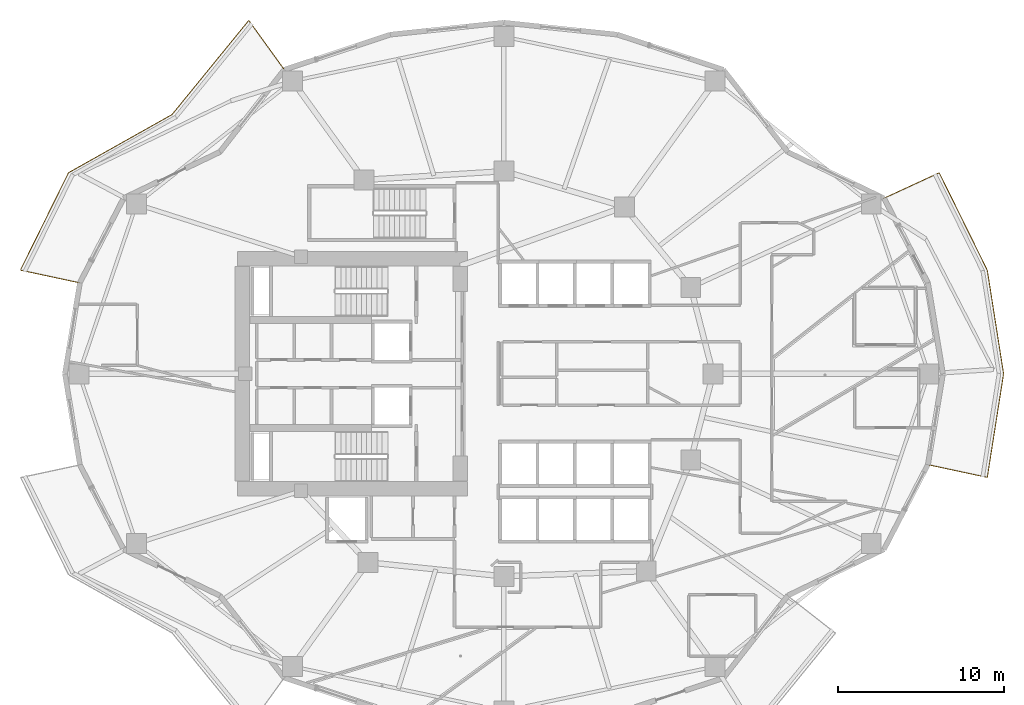
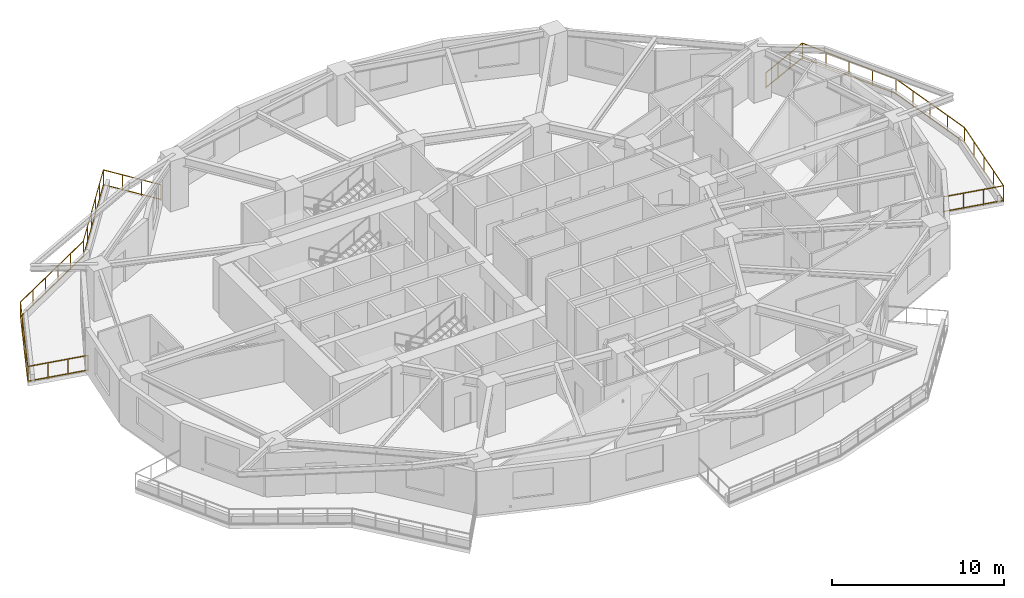
# One storey, part 14 of 15: 2 railings.
"""IFC4 building model written with IfcOpenShell, lengths in metres."""

from ifc_helpers import new_model, si_unit, direction, frame, origin, origin_2d, place, context, subcontext, project, spatial, rectangle, extrude, material, type_object, element, save


model = new_model("IFC4")

# Units and contexts
model_context = context("Model", 3, precision=1e-05, world=origin(), true_north=direction((0.0, 1.0)))
body_context = subcontext(model_context, "Body", "Model", "MODEL_VIEW")
ifc_project = project(units=[si_unit("LENGTHUNIT", "METRE"), si_unit("AREAUNIT", "SQUARE_METRE"), si_unit("VOLUMEUNIT", "CUBIC_METRE"), si_unit("PLANEANGLEUNIT", "RADIAN"), si_unit("MASSUNIT", "GRAM", prefix="KILO")], contexts=[model_context])

# Site, building, storey
site_placement = place(None, origin())
site = spatial("IfcSite", under=ifc_project, at=site_placement, CompositionType="ELEMENT")
building_placement = place(site_placement, origin())
building = spatial("IfcBuilding", under=site, at=building_placement, Name="Kolvaren Gate Tower and Convention Centre", CompositionType="ELEMENT")
storey_placement = place(building_placement, frame((0.0, 0.0, 72.699951171875)))
storey = spatial("IfcBuildingStorey", under=building, at=storey_placement, Name="L17", CompositionType="ELEMENT", Elevation=72.699951171875)

# Railings
ifc_material = material(Name="Brushed Stainless Steel Grade 316L", Category="steel")
railing_type = type_object("IfcRailingType", Name="ARCH-RL-GUARD-1150", PredefinedType="GUARDRAIL", material=ifc_material)
railing_1_placement = place(storey_placement, frame((16.90625, 45.31640625, 0.0)))
element("IfcRailing", 1, at=railing_1_placement, inside=storey, type_object=railing_type, Name="Tower L17 Terrace Perimeter Guardrail GR-1", PredefinedType="GUARDRAIL", context=body_context, shape_type="SweptSolid", body=[
    extrude(rectangle(XDim=0.048095703125, YDim=0.048095703125, at=origin_2d()), frame((-0.016357421875, 0.022705078125, 1.1259765625), z_axis=(-0.585212870465, 0.810879705161, 0.0), x_axis=(-0.810879705161, -0.585212870465, 0.0)), (0.0, 0.0, 1.0), 3.603759765625),
    extrude(rectangle(XDim=0.048095703125, YDim=0.048095703125, at=origin_2d()), frame((-0.016357421875, 0.022705078125, 0.083984375), z_axis=(-0.585212870465, 0.810879705161, 0.0), x_axis=(-0.810879705161, -0.585212870465, 0.0)), (0.0, 0.0, 1.0), 3.603759765625),
    extrude(rectangle(XDim=0.048095703125, YDim=0.048095703125, at=origin_2d()), frame((-2.15966796875, 2.946044921875, 1.1259765625), z_axis=(-0.631819273026, -0.775115737315, 0.0), x_axis=(0.775115737315, -0.631819273026, 0.0)), (0.0, 0.0, 1.0), 7.259765625),
    extrude(rectangle(XDim=0.048095703125, YDim=0.048095703125, at=origin_2d()), frame((-2.15966796875, 2.946044921875, 0.083984375), z_axis=(-0.631819273026, -0.775115737315, 0.0), x_axis=(0.775115737315, -0.631819273026, 0.0)), (0.0, 0.0, 1.0), 7.259765625),
    extrude(rectangle(XDim=0.048095703125, YDim=0.048095703125, at=origin_2d()), frame((-6.78857421875, -2.716552734375, 1.1259765625), z_axis=(-0.871783301661, -0.489891697159, 0.0), x_axis=(0.489891697159, -0.871783301661, 0.0)), (0.0, 0.0, 1.0), 7.096435546875),
    extrude(rectangle(XDim=0.048095703125, YDim=0.048095703125, at=origin_2d()), frame((-6.78857421875, -2.716552734375, 0.083984375), z_axis=(-0.871783301661, -0.489891697159, 0.0), x_axis=(0.489891697159, -0.871783301661, 0.0)), (0.0, 0.0, 1.0), 7.096435546875),
    extrude(rectangle(XDim=0.048095703125, YDim=0.048095703125, at=origin_2d()), frame((-13.011962890625, -6.23193359375, 1.1259765625), z_axis=(-0.442686636348, -0.89667638644, 0.0), x_axis=(0.89667638644, -0.442686636348, 0.0)), (0.0, 0.0, 1.0), 6.488525390625),
    extrude(rectangle(XDim=0.048095703125, YDim=0.048095703125, at=origin_2d()), frame((-13.011962890625, -6.23193359375, 0.083984375), z_axis=(-0.442686636348, -0.89667638644, 0.0), x_axis=(0.89667638644, -0.442686636348, 0.0)), (0.0, 0.0, 1.0), 6.488525390625),
    extrude(rectangle(XDim=0.048095703125, YDim=0.048095703125, at=origin_2d()), frame((-15.869384765625, -12.0810546875, 1.1259765625), z_axis=(0.977791675321, -0.209579196661, 0.0), x_axis=(0.209579196661, 0.977791675321, 0.0)), (0.0, 0.0, 1.0), 3.60400390625),
    extrude(rectangle(XDim=0.048095703125, YDim=0.048095703125, at=origin_2d()), frame((-15.869384765625, -12.0810546875, 0.083984375), z_axis=(0.977791675321, -0.209579196661, 0.0), x_axis=(0.209579196661, 0.977791675321, 0.0)), (0.0, 0.0, 1.0), 3.60400390625),
    extrude(rectangle(XDim=0.0419921875, YDim=0.0419921875, at=origin_2d()), origin(), (0.0, 0.0, 1.0), 1.14990234375),
    extrude(rectangle(XDim=0.0419921875, YDim=0.0419921875, at=origin_2d()), frame((-2.141845703125, 2.9677734375, 0.0)), (0.0, 0.0, 1.0), 1.14990234375),
    extrude(rectangle(XDim=0.0419921875, YDim=0.0419921875, at=origin_2d()), frame((-0.7138671875, 0.9892578125, 0.0)), (0.0, 0.0, 1.0), 1.099853515625),
    extrude(rectangle(XDim=0.0419921875, YDim=0.0419921875, at=origin_2d()), frame((-1.427978515625, 1.978515625, 0.0)), (0.0, 0.0, 1.0), 1.099853515625),
    extrude(rectangle(XDim=0.0419921875, YDim=0.0419921875, at=origin_2d()), frame((-6.76416015625, -2.702880859375, 0.0)), (0.0, 0.0, 1.0), 1.14990234375),
    extrude(rectangle(XDim=0.0419921875, YDim=0.0419921875, at=origin_2d()), frame((-3.06640625, 1.833740234375, 0.0)), (0.0, 0.0, 1.0), 1.099853515625),
    extrude(rectangle(XDim=0.0419921875, YDim=0.0419921875, at=origin_2d()), frame((-3.99072265625, 0.699462890625, 0.0)), (0.0, 0.0, 1.0), 1.099853515625),
    extrude(rectangle(XDim=0.0419921875, YDim=0.0419921875, at=origin_2d()), frame((-4.915283203125, -0.4345703125, 0.0)), (0.0, 0.0, 1.0), 1.099853515625),
    extrude(rectangle(XDim=0.0419921875, YDim=0.0419921875, at=origin_2d()), frame((-5.839599609375, -1.56884765625, 0.0)), (0.0, 0.0, 1.0), 1.099853515625),
    extrude(rectangle(XDim=0.0419921875, YDim=0.0419921875, at=origin_2d()), frame((-12.99951171875, -6.206787109375, 0.0)), (0.0, 0.0, 1.0), 1.14990234375),
    extrude(rectangle(XDim=0.0419921875, YDim=0.0419921875, at=origin_2d()), frame((-8.01123046875, -3.403564453125, 0.0)), (0.0, 0.0, 1.0), 1.099853515625),
    extrude(rectangle(XDim=0.0419921875, YDim=0.0419921875, at=origin_2d()), frame((-9.25830078125, -4.1044921875, 0.0)), (0.0, 0.0, 1.0), 1.099853515625),
    extrude(rectangle(XDim=0.0419921875, YDim=0.0419921875, at=origin_2d()), frame((-10.50537109375, -4.80517578125, 0.0)), (0.0, 0.0, 1.0), 1.099853515625),
    extrude(rectangle(XDim=0.0419921875, YDim=0.0419921875, at=origin_2d()), frame((-11.75244140625, -5.506103515625, 0.0)), (0.0, 0.0, 1.0), 1.099853515625),
    extrude(rectangle(XDim=0.0419921875, YDim=0.0419921875, at=origin_2d()), frame((-15.896728515625, -12.0751953125, 0.0)), (0.0, 0.0, 1.0), 1.14990234375),
    extrude(rectangle(XDim=0.0419921875, YDim=0.0419921875, at=origin_2d()), frame((-13.723876953125, -7.673828125, 0.0)), (0.0, 0.0, 1.0), 1.099853515625),
    extrude(rectangle(XDim=0.0419921875, YDim=0.0419921875, at=origin_2d()), frame((-14.4482421875, -9.14111328125, 0.0)), (0.0, 0.0, 1.0), 1.099853515625),
    extrude(rectangle(XDim=0.0419921875, YDim=0.0419921875, at=origin_2d()), frame((-15.17236328125, -10.608154296875, 0.0)), (0.0, 0.0, 1.0), 1.099853515625),
    extrude(rectangle(XDim=0.0419921875, YDim=0.0419921875, at=origin_2d()), frame((-12.31787109375, -12.84228515625, 0.0)), (0.0, 0.0, 1.0), 1.14990234375),
    extrude(rectangle(XDim=0.0419921875, YDim=0.0419921875, at=origin_2d()), frame((-14.703857421875, -12.330810546875, 0.0)), (0.0, 0.0, 1.0), 1.099853515625),
    extrude(rectangle(XDim=0.0419921875, YDim=0.0419921875, at=origin_2d()), frame((-13.5107421875, -12.586669921875, 0.0)), (0.0, 0.0, 1.0), 1.099853515625),
])
railing_2_placement = place(storey_placement, frame((55.66162109375, 21.52587890625, 0.0)))
element("IfcRailing", 2, at=railing_2_placement, inside=storey, type_object=railing_type, Name="Tower L17 Terrace Perimeter Guardrail GR-4", PredefinedType="GUARDRAIL", context=body_context, shape_type="SweptSolid", body=[
    extrude(rectangle(XDim=0.048095703125, YDim=0.048095703125, at=origin_2d()), frame((0.02734375, -0.005859375, 1.1259765625), z_axis=(0.977791675321, -0.209579196661, 0.0), x_axis=(0.209579196661, 0.977791675321, 0.0)), (0.0, 0.0, 1.0), 3.60400390625),
    extrude(rectangle(XDim=0.048095703125, YDim=0.048095703125, at=origin_2d()), frame((0.02734375, -0.005859375, 0.083984375), z_axis=(0.977791675321, -0.209579196661, 0.0), x_axis=(0.209579196661, 0.977791675321, 0.0)), (0.0, 0.0, 1.0), 3.60400390625),
    extrude(rectangle(XDim=0.048095703125, YDim=0.048095703125, at=origin_2d()), frame((3.583251953125, -0.739501953125, 1.1259765625), z_axis=(0.155418843943, 0.98784866399, 0.0), x_axis=(-0.98784866399, 0.155418843943, 0.0)), (0.0, 0.0, 1.0), 6.261962890625),
    extrude(rectangle(XDim=0.048095703125, YDim=0.048095703125, at=origin_2d()), frame((3.583251953125, -0.739501953125, 0.083984375), z_axis=(0.155418843943, 0.98784866399, 0.0), x_axis=(-0.98784866399, 0.155418843943, 0.0)), (0.0, 0.0, 1.0), 6.261962890625),
    extrude(rectangle(XDim=0.048095703125, YDim=0.048095703125, at=origin_2d()), frame((4.556396484375, 5.501708984375, 1.1259765625), z_axis=(-0.155418843943, 0.98784866399, 0.0), x_axis=(-0.98784866399, -0.155418843943, 0.0)), (0.0, 0.0, 1.0), 6.261962890625),
    extrude(rectangle(XDim=0.048095703125, YDim=0.048095703125, at=origin_2d()), frame((4.556396484375, 5.501708984375, 0.083984375), z_axis=(-0.155418843943, 0.98784866399, 0.0), x_axis=(-0.98784866399, -0.155418843943, 0.0)), (0.0, 0.0, 1.0), 6.261962890625),
    extrude(rectangle(XDim=0.048095703125, YDim=0.048095703125, at=origin_2d()), frame((3.56640625, 11.740478515625, 1.1259765625), z_axis=(-0.442686636348, 0.89667638644, 0.0), x_axis=(-0.89667638644, -0.442686636348, 0.0)), (0.0, 0.0, 1.0), 6.488525390625),
    extrude(rectangle(XDim=0.048095703125, YDim=0.048095703125, at=origin_2d()), frame((3.56640625, 11.740478515625, 0.083984375), z_axis=(-0.442686636348, 0.89667638644, 0.0), x_axis=(-0.89667638644, -0.442686636348, 0.0)), (0.0, 0.0, 1.0), 6.488525390625),
    extrude(rectangle(XDim=0.048095703125, YDim=0.048095703125, at=origin_2d()), frame((0.65625, 17.572021484375, 1.1259765625), z_axis=(-0.907846116663, -0.419303503993, 0.0), x_axis=(0.419303503993, -0.907846116663, 0.0)), (0.0, 0.0, 1.0), 3.60400390625),
    extrude(rectangle(XDim=0.048095703125, YDim=0.048095703125, at=origin_2d()), frame((0.65625, 17.572021484375, 0.083984375), z_axis=(-0.907846116663, -0.419303503993, 0.0), x_axis=(0.419303503993, -0.907846116663, 0.0)), (0.0, 0.0, 1.0), 3.60400390625),
    extrude(rectangle(XDim=0.0419921875, YDim=0.0419921875, at=origin_2d()), origin(), (0.0, 0.0, 1.0), 1.14990234375),
    extrude(rectangle(XDim=0.0419921875, YDim=0.0419921875, at=origin_2d()), frame((3.578857421875, -0.76708984375, 0.0)), (0.0, 0.0, 1.0), 1.14990234375),
    extrude(rectangle(XDim=0.0419921875, YDim=0.0419921875, at=origin_2d()), frame((1.19287109375, -0.255615234375, 0.0)), (0.0, 0.0, 1.0), 1.099853515625),
    extrude(rectangle(XDim=0.0419921875, YDim=0.0419921875, at=origin_2d()), frame((2.385986328125, -0.511474609375, 0.0)), (0.0, 0.0, 1.0), 1.099853515625),
    extrude(rectangle(XDim=0.0419921875, YDim=0.0419921875, at=origin_2d()), frame((4.560791015625, 5.47412109375, 0.0)), (0.0, 0.0, 1.0), 1.14990234375),
    extrude(rectangle(XDim=0.0419921875, YDim=0.0419921875, at=origin_2d()), frame((3.82421875, 0.793212890625, 0.0)), (0.0, 0.0, 1.0), 1.099853515625),
    extrude(rectangle(XDim=0.0419921875, YDim=0.0419921875, at=origin_2d()), frame((4.06982421875, 2.353515625, 0.0)), (0.0, 0.0, 1.0), 1.099853515625),
    extrude(rectangle(XDim=0.0419921875, YDim=0.0419921875, at=origin_2d()), frame((4.3154296875, 3.913818359375, 0.0)), (0.0, 0.0, 1.0), 1.099853515625),
    extrude(rectangle(XDim=0.0419921875, YDim=0.0419921875, at=origin_2d()), frame((3.578857421875, 11.71533203125, 0.0)), (0.0, 0.0, 1.0), 1.14990234375),
    extrude(rectangle(XDim=0.0419921875, YDim=0.0419921875, at=origin_2d()), frame((4.3154296875, 7.034423828125, 0.0)), (0.0, 0.0, 1.0), 1.099853515625),
    extrude(rectangle(XDim=0.0419921875, YDim=0.0419921875, at=origin_2d()), frame((4.06982421875, 8.5947265625, 0.0)), (0.0, 0.0, 1.0), 1.099853515625),
    extrude(rectangle(XDim=0.0419921875, YDim=0.0419921875, at=origin_2d()), frame((3.82421875, 10.155029296875, 0.0)), (0.0, 0.0, 1.0), 1.099853515625),
    extrude(rectangle(XDim=0.0419921875, YDim=0.0419921875, at=origin_2d()), frame((0.681640625, 17.583740234375, 0.0)), (0.0, 0.0, 1.0), 1.14990234375),
    extrude(rectangle(XDim=0.0419921875, YDim=0.0419921875, at=origin_2d()), frame((2.8544921875, 13.182373046875, 0.0)), (0.0, 0.0, 1.0), 1.099853515625),
    extrude(rectangle(XDim=0.0419921875, YDim=0.0419921875, at=origin_2d()), frame((2.13037109375, 14.6494140625, 0.0)), (0.0, 0.0, 1.0), 1.099853515625),
    extrude(rectangle(XDim=0.0419921875, YDim=0.0419921875, at=origin_2d()), frame((1.406005859375, 16.11669921875, 0.0)), (0.0, 0.0, 1.0), 1.099853515625),
    extrude(rectangle(XDim=0.0419921875, YDim=0.0419921875, at=origin_2d()), frame((-2.64111328125, 16.049072265625, 0.0)), (0.0, 0.0, 1.0), 1.14990234375),
    extrude(rectangle(XDim=0.0419921875, YDim=0.0419921875, at=origin_2d()), frame((-0.426025390625, 17.072265625, 0.0)), (0.0, 0.0, 1.0), 1.099853515625),
    extrude(rectangle(XDim=0.0419921875, YDim=0.0419921875, at=origin_2d()), frame((-1.533447265625, 16.560546875, 0.0)), (0.0, 0.0, 1.0), 1.099853515625),
])

save(model, "model.ifc")
